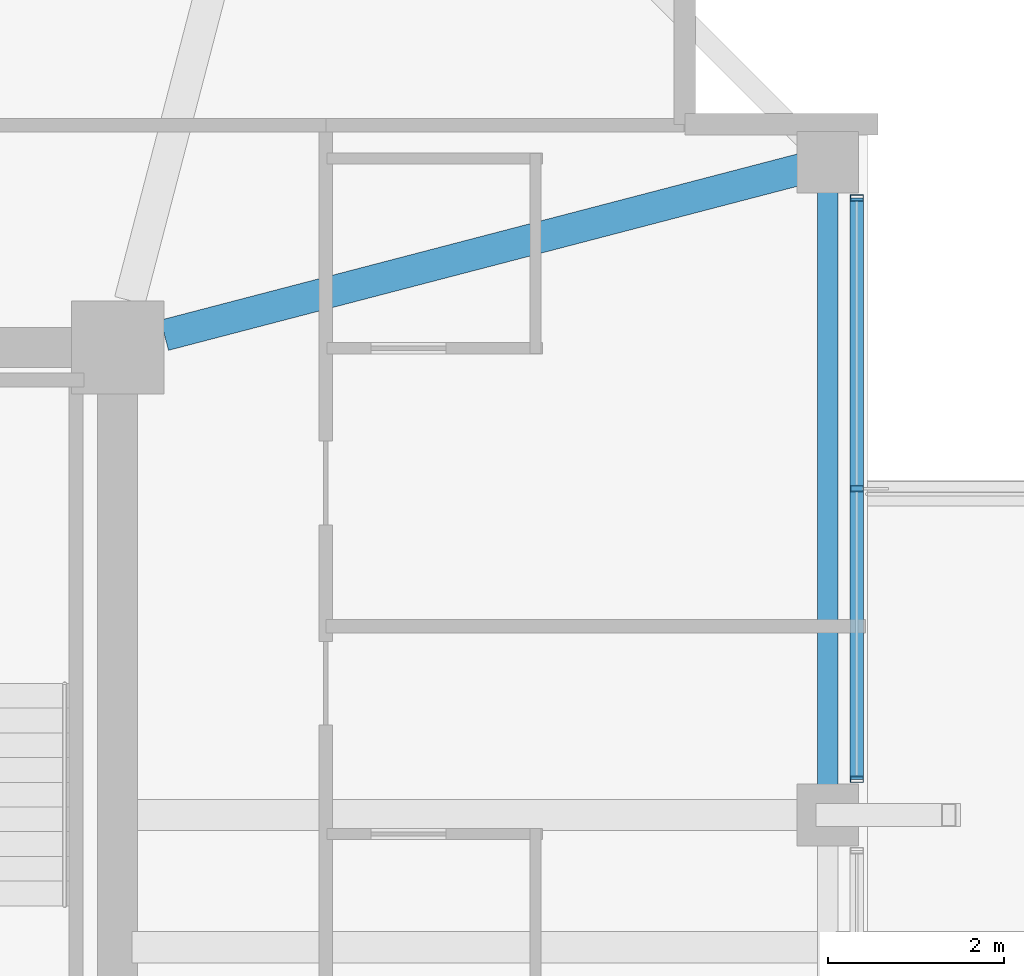
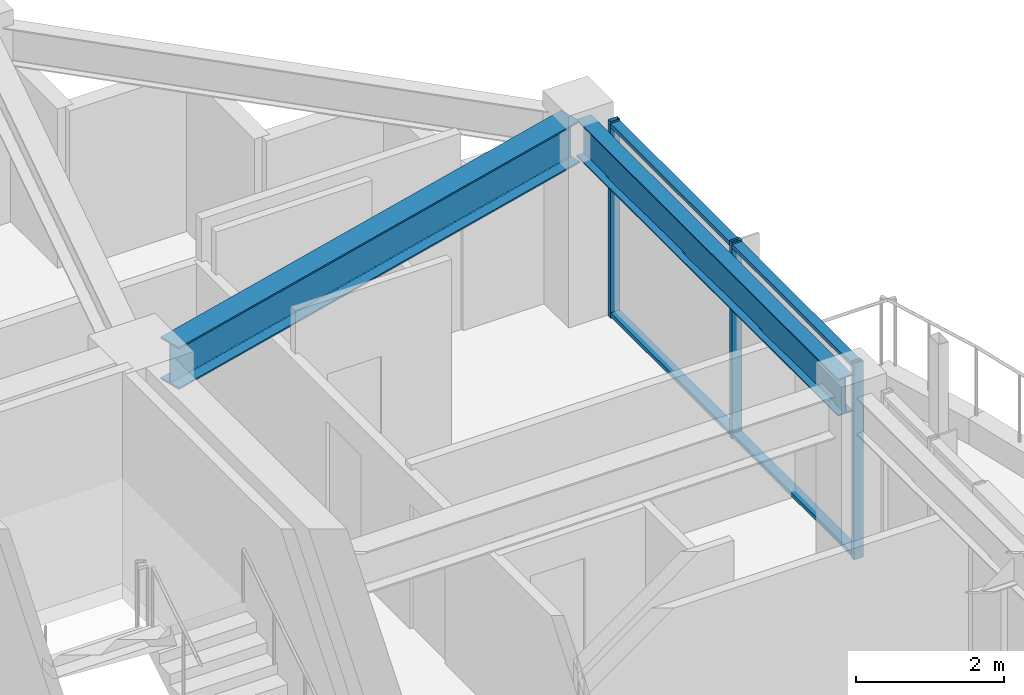
# One storey, part 13 of 29: 5 members, 2 beams, 1 element without a shape of its own.
"""IFC4 building model written with IfcOpenShell, lengths in metres."""

from ifc_helpers import new_model, si_unit, direction, frame, origin, origin_2d, place, context, subcontext, project, spatial, hollow_rectangle, i_section, extrude, material, material_profile, profile_set, type_object, element, aggregate, save


model = new_model("IFC4")

# Units and contexts
model_context = context("Model", 3, precision=1e-05, world=origin(), true_north=direction((0.0, 1.0)))
body_context = subcontext(model_context, "Body", "Model", "MODEL_VIEW")
ifc_project = project(units=[si_unit("LENGTHUNIT", "METRE"), si_unit("AREAUNIT", "SQUARE_METRE"), si_unit("VOLUMEUNIT", "CUBIC_METRE"), si_unit("PLANEANGLEUNIT", "RADIAN"), si_unit("MASSUNIT", "GRAM", prefix="KILO")], contexts=[model_context])

# Site, building, storey
site_placement = place(None, origin())
site = spatial("IfcSite", under=ifc_project, at=site_placement, CompositionType="ELEMENT")
building_placement = place(site_placement, origin())
building = spatial("IfcBuilding", under=site, at=building_placement, Name="Kolvaren Belvedere", CompositionType="ELEMENT")
storey_placement = place(building_placement, frame((0.0, 0.0, 244.39990234375)))
storey = spatial("IfcBuildingStorey", under=building, at=storey_placement, Name="L71", CompositionType="ELEMENT", Elevation=244.39990234375)

# Beams
ifc_material_1 = material(Name="Structural steel ASTM A992 Grade 50", Category="steel")
ifc_material_profile_1 = material_profile(ifc_material_1, i_section(OverallWidth=0.35498046875, OverallDepth=0.696044921875, WebThickness=0.015380859375, FlangeThickness=0.02490234375, FilletRadius=0.02197265625, at=origin_2d()), Name="W27X146")
ifc_profile_set_1 = profile_set([ifc_material_profile_1], Name="Structural steel ASTM A992 Grade 50")
beam_type_1 = type_object("IfcBeamType", Name="BM-GIRD-W27X146", PredefinedType="BEAM", material=ifc_profile_set_1)
beam_1_placement = place(storey_placement, frame((10.43212890625, 10.038818359375, 2.902099609375), z_axis=(0.967618631679, 0.25241668651, 0.0), x_axis=(-0.25241668651, 0.967618631679, 0.0)))
element("IfcBeam", 1, at=beam_1_placement, inside=storey, type_object=beam_type_1, Name="L71 Corner Core-to-Perimeter Girder CC3-E4", PredefinedType="BEAM", context=body_context, shape_type="SweptSolid", body=[
    extrude(i_section(OverallWidth=0.35498046875, OverallDepth=0.696044921875, WebThickness=0.015380859375, FlangeThickness=0.02490234375, FilletRadius=0.02197265625, at=origin_2d()), origin(), (0.0, 0.0, 1.0), 7.62939453125),
])
ifc_material_2 = material(Name="Structural steel ASTM A992 Grade 50", Category="steel")
ifc_material_profile_2 = material_profile(ifc_material_2, i_section(OverallWidth=0.22900390625, OverallDepth=0.612060546875, WebThickness=0.011962890625, FlangeThickness=0.01953125, FilletRadius=0.01806640625, at=origin_2d()), Name="W24X84")
ifc_profile_set_2 = profile_set([ifc_material_profile_2], Name="Structural steel ASTM A992 Grade 50")
beam_type_2 = type_object("IfcBeamType", Name="BM-SPAN-W24X84", PredefinedType="SPANDREL", material=ifc_profile_set_2)
beam_2_placement = place(storey_placement, frame((17.949951171875, 4.757568359375, 2.944091796875), z_axis=(0.0, 1.0, 0.0), x_axis=(-1.0, 0.0, 0.0)))
element("IfcBeam", 2, at=beam_2_placement, inside=storey, type_object=beam_type_2, Name="L71 Perimeter Spandrel E3-E4", PredefinedType="SPANDREL", context=body_context, shape_type="SweptSolid", body=[
    extrude(i_section(OverallWidth=0.22900390625, OverallDepth=0.612060546875, WebThickness=0.011962890625, FlangeThickness=0.01953125, FilletRadius=0.01806640625, at=origin_2d()), origin(), (0.0, 0.0, 1.0), 7.0849609375),
])

# Curtain wall, members
ifc_material_3 = material(Name="Anodised pale-metal aluminium AA 6063-T6", Category="aluminium")
curtain_wall_type = type_object("IfcCurtainWallType", Name="CW-Z5-HIGH", PredefinedType="NOTDEFINED", material=ifc_material_3)
curtain_wall_placement = place(storey_placement, origin())
curtain_wall = element("IfcCurtainWall", 3, at=curtain_wall_placement, inside=storey, type_object=curtain_wall_type, Name="L71 Unitised Curtain Wall FCW-L71-E1-B1", PredefinedType="NOTDEFINED")
ifc_material_4 = material(Name="Anodised pale-metal aluminium AA 6063-T6", Category="aluminium")
ifc_material_profile_3 = material_profile(ifc_material_4, hollow_rectangle(XDim=0.070068359375, YDim=0.14990234375, WallThickness=0.004150390625, at=origin_2d()), Name="ALU-MUL-150X70")
ifc_profile_set_3 = profile_set([ifc_material_profile_3], Name="Anodised pale-metal aluminium AA 6063-T6")
member_type_1 = type_object("IfcMemberType", Name="CW-MUL-150", PredefinedType="MULLION", material=ifc_profile_set_3)
member_1_placement = place(storey_placement, frame((18.280029296875, 11.594970703125, 0.0), z_axis=(0.0, 0.0, 1.0), x_axis=(0.0, 1.0, 0.0)))
member_1 = element("IfcMember", 4, at=member_1_placement, type_object=member_type_1, Name="FCW-L71-E1-B1 Unitised Mullion 1", PredefinedType="MULLION", context=body_context, shape_type="SweptSolid", body=[
    extrude(hollow_rectangle(XDim=0.070068359375, YDim=0.14990234375, WallThickness=0.004150390625, at=origin_2d()), origin(), (0.0, 0.0, 1.0), 3.25),
])
member_2_placement = place(storey_placement, frame((18.280029296875, 8.300048828125, 0.0), z_axis=(0.0, 0.0, 1.0), x_axis=(0.0, 1.0, 0.0)))
member_2 = element("IfcMember", 5, at=member_2_placement, type_object=member_type_1, Name="FCW-L71-E1-B1 Unitised Mullion 2", PredefinedType="MULLION", context=body_context, shape_type="SweptSolid", body=[
    extrude(hollow_rectangle(XDim=0.070068359375, YDim=0.14990234375, WallThickness=0.004150390625, at=origin_2d()), origin(), (0.0, 0.0, 1.0), 3.25),
])
member_3_placement = place(storey_placement, frame((18.280029296875, 5.0048828125, 0.0), z_axis=(0.0, 0.0, 1.0), x_axis=(0.0, 1.0, 0.0)))
member_3 = element("IfcMember", 6, at=member_3_placement, type_object=member_type_1, Name="FCW-L71-E1-B1 Unitised Mullion 3", PredefinedType="MULLION", context=body_context, shape_type="SweptSolid", body=[
    extrude(hollow_rectangle(XDim=0.070068359375, YDim=0.14990234375, WallThickness=0.004150390625, at=origin_2d()), origin(), (0.0, 0.0, 1.0), 3.25),
])
ifc_material_5 = material(Name="Anodised pale-metal aluminium AA 6063-T6", Category="aluminium")
ifc_material_profile_4 = material_profile(ifc_material_5, hollow_rectangle(XDim=0.06494140625, YDim=0.14990234375, WallThickness=0.00390625, at=origin_2d()), Name="ALU-TRN-150X65")
ifc_profile_set_4 = profile_set([ifc_material_profile_4], Name="Anodised pale-metal aluminium AA 6063-T6")
member_type_2 = type_object("IfcMemberType", Name="CW-TRN-150", PredefinedType="USERDEFINED", material=ifc_profile_set_4)
member_4_placement = place(storey_placement, frame((18.280029296875, 11.594970703125, 0.06005859375), z_axis=(0.0, -1.0, 0.0), x_axis=(0.0, 0.0, 1.0)))
member_4 = element("IfcMember", 7, at=member_4_placement, type_object=member_type_2, Name="FCW-L71-E1-B1 Sill Transom", ObjectType="TRANSOM", PredefinedType="USERDEFINED", context=body_context, shape_type="SweptSolid", body=[
    extrude(hollow_rectangle(XDim=0.06494140625, YDim=0.14990234375, WallThickness=0.00390625, at=origin_2d()), origin(), (0.0, 0.0, 1.0), 6.590087890625),
])
member_5_placement = place(storey_placement, frame((18.280029296875, 11.594970703125, 3.190185546875), z_axis=(0.0, -1.0, 0.0), x_axis=(0.0, 0.0, 1.0)))
member_5 = element("IfcMember", 8, at=member_5_placement, type_object=member_type_2, Name="FCW-L71-E1-B1 Head Transom", ObjectType="TRANSOM", PredefinedType="USERDEFINED", context=body_context, shape_type="SweptSolid", body=[
    extrude(hollow_rectangle(XDim=0.06494140625, YDim=0.14990234375, WallThickness=0.00390625, at=origin_2d()), origin(), (0.0, 0.0, 1.0), 6.590087890625),
])
aggregate(curtain_wall, [member_1, member_2, member_3, member_4, member_5])

save(model, "model.ifc")
